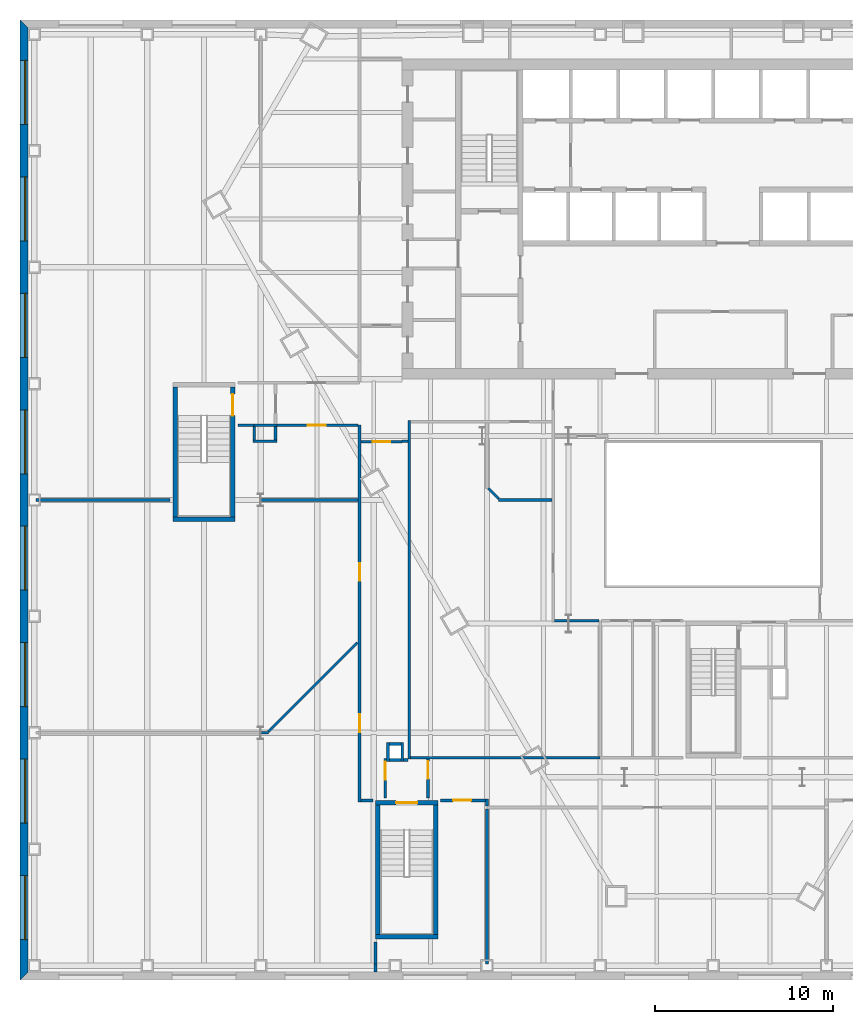
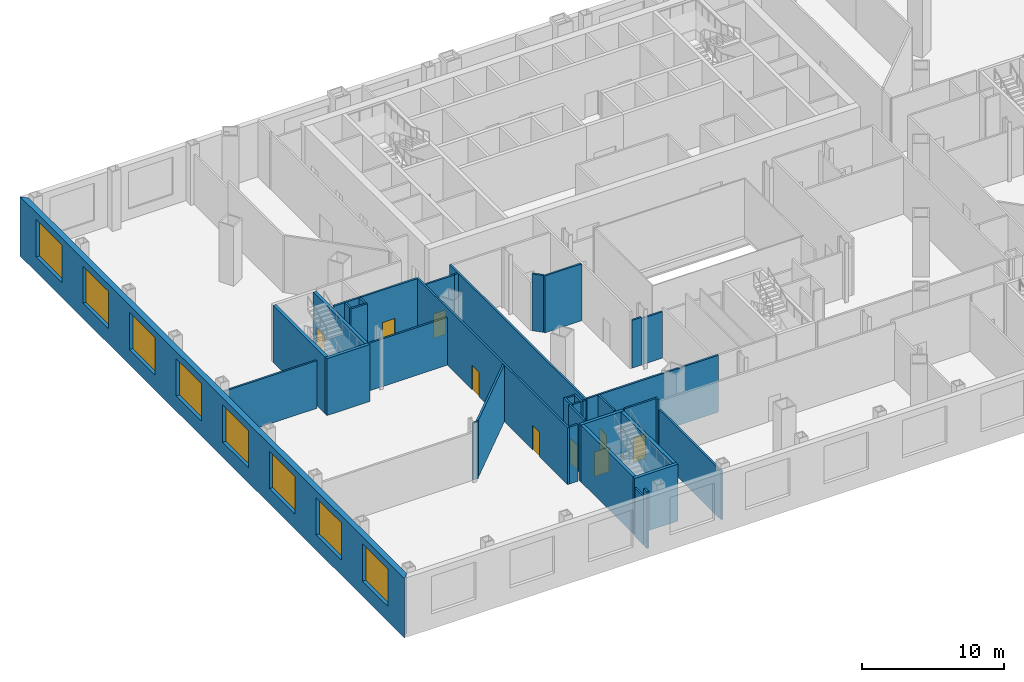
# One storey, part 8 of 20: 40 walls, 9 doors, 8 windows, 17 openings.
"""IFC4 building model written with IfcOpenShell, lengths in metres."""

from ifc_helpers import new_model, si_unit, direction, frame, frame_2d, origin, place, context, subcontext, project, spatial, polyline, rectangle, outline, extrude, material, layer, layer_set, type_object, element, fill, save


model = new_model("IFC4")

# Units and contexts
model_context = context("Model", 3, precision=1e-05, world=origin(), true_north=direction((0.0, 1.0)))
body_context = subcontext(model_context, "Body", "Model", "MODEL_VIEW")
ifc_project = project(units=[si_unit("LENGTHUNIT", "METRE"), si_unit("AREAUNIT", "SQUARE_METRE"), si_unit("VOLUMEUNIT", "CUBIC_METRE"), si_unit("PLANEANGLEUNIT", "RADIAN"), si_unit("MASSUNIT", "GRAM", prefix="KILO")], contexts=[model_context])

# Site, building, storey
site_placement = place(None, origin())
site = spatial("IfcSite", under=ifc_project, at=site_placement, CompositionType="ELEMENT")
building_placement = place(site_placement, origin())
building = spatial("IfcBuilding", under=site, at=building_placement, Name="Njiva Tower", CompositionType="ELEMENT")
storey_placement = place(building_placement, frame((0.0, 0.0, 18.6)))
storey = spatial("IfcBuildingStorey", under=building, at=storey_placement, Name="L03", CompositionType="ELEMENT", Elevation=18.6)

# Walls
ifc_material_1 = material(Name="Gypsum board on steel studs", Category="gypsum")
ifc_layer_1 = layer(ifc_material_1, 0.15)
ifc_layer_set_1 = layer_set([ifc_layer_1], Name="Gypsum board on steel studs")
wall_type_1 = type_object("IfcWallType", Name="WT21 Compartment wall 150", PredefinedType="PARTITIONING", material=ifc_layer_set_1)
wall_1_placement = place(storey_placement, frame((-25.467, -19.9, 0.0), z_axis=(0.0, 0.0, 1.0), x_axis=(1.0, 0.0, 0.0)))
element("IfcWall", 1, at=wall_1_placement, inside=storey, type_object=wall_type_1, Name="Partition L03-P001A", PredefinedType="PARTITIONING", context=body_context, shape_type="SweptSolid", body=[
    extrude(rectangle(XDim=0.441, YDim=0.15, at=frame_2d((0.2205, 0.0))), origin(), (0.0, 0.0, 1.0), 4.88),
])
wall_2_placement = place(storey_placement, frame((-38.1, -6.8, 0.0), z_axis=(0.0, 0.0, 1.0), x_axis=(1.0, 0.0, 0.0)))
element("IfcWall", 2, at=wall_2_placement, inside=storey, type_object=wall_type_1, Name="Partition L03-P002", PredefinedType="PARTITIONING", context=body_context, shape_type="SweptSolid", body=[
    extrude(rectangle(XDim=7.55, YDim=0.15, at=frame_2d((3.775, 0.0))), origin(), (0.0, 0.0, 1.0), 4.09),
])
wall_3_placement = place(storey_placement, frame((-26.75, -6.8, 0.0), z_axis=(0.0, 0.0, 1.0), x_axis=(1.0, 0.0, 0.0)))
element("IfcWall", 3, at=wall_3_placement, inside=storey, type_object=wall_type_1, Name="Partition L03-P003", PredefinedType="PARTITIONING", context=body_context, shape_type="SweptSolid", body=[
    extrude(rectangle(XDim=6.775, YDim=0.15, at=frame_2d((3.3875, 0.0))), origin(), (0.0, 0.0, 1.0), 4.09),
])
wall_4_placement = place(storey_placement, frame((-26.75, -2.6, 0.0), z_axis=(0.0, 0.0, 1.0), x_axis=(1.0, 0.0, 0.0)))
element("IfcWall", 4, at=wall_4_placement, inside=storey, type_object=wall_type_1, Name="Partition L03-P004", PredefinedType="PARTITIONING", context=body_context, shape_type="SweptSolid", body=[
    extrude(rectangle(XDim=0.913, YDim=0.15, at=frame_2d((0.4565, 0.0))), origin(), (0.0, 0.0, 1.0), 4.88),
])
wall_5_placement = place(storey_placement, frame((-25.026, -19.825, 0.0), z_axis=(0.0, 0.0, 1.0), x_axis=(0.707106781187, 0.707106781187, 0.0)))
element("IfcWall", 5, at=wall_5_placement, inside=storey, type_object=wall_type_1, Name="Partition L03-P011", PredefinedType="PARTITIONING", context=body_context, shape_type="SweptSolid", body=[
    extrude(rectangle(XDim=7.0682, YDim=0.15, at=frame_2d((3.5341, 0.0))), origin(), (0.0, 0.0, 1.0), 4.88),
])

# Wall, opening, door
wall_6_placement = place(storey_placement, frame((-24.55, -2.6, 0.0), z_axis=(0.0, 0.0, 1.0), x_axis=(1.0, 0.0, 0.0)))
wall_6 = element("IfcWall", 6, at=wall_6_placement, inside=storey, type_object=wall_type_1, Name="Partition L03-P014", PredefinedType="PARTITIONING", context=body_context, shape_type="SweptSolid", body=[
    extrude(rectangle(XDim=4.575, YDim=0.15, at=frame_2d((2.2875, 0.0))), origin(), (0.0, 0.0, 1.0), 4.88),
])
opening_1_placement = place(wall_6_placement, frame((1.736, 0.0, 0.0)))
opening_1 = element("IfcOpeningElement", 7, at=opening_1_placement, cuts=wall_6, Name="Opening L03-D003", PredefinedType="OPENING", context=body_context, shape_type="SweptSolid", body=[
    extrude(rectangle(XDim=1.0, YDim=2.1, at=frame_2d((0.5, 1.05))), frame((0.0, 0.085, 0.0), z_axis=(0.0, -1.0, 0.0), x_axis=(1.0, 0.0, 0.0)), (0.0, 0.0, 1.0), 0.17),
])
ifc_material_2 = material(Name="Steel fire door set", Category="steel")
door_type_1 = type_object("IfcDoorType", Name="D37 Fire door 1000x2100", OperationType="SINGLE_SWING_LEFT", PredefinedType="DOOR", material=ifc_material_2)
door_1_placement = place(opening_1_placement, origin())
door_1 = element("IfcDoor", 8, at=door_1_placement, inside=storey, type_object=door_type_1, Name="Door L03-D003", OperationType="SINGLE_SWING_LEFT", OverallHeight=2.1, OverallWidth=1.0, PredefinedType="DOOR", context=body_context, shape_type="SweptSolid", body=[
    extrude(rectangle(XDim=1.0, YDim=2.1, at=frame_2d((0.5, 1.05))), frame((0.0, 0.025, 0.0), z_axis=(0.0, -1.0, 0.0), x_axis=(1.0, 0.0, 0.0)), (0.0, 0.0, 1.0), 0.05),
])
fill(opening_1, door_1)

# Wall, openings, doors
wall_7_placement = place(storey_placement, frame((-19.9, -23.775, 0.0), z_axis=(0.0, 0.0, 1.0), x_axis=(0.0, 1.0, 0.0)))
wall_7 = element("IfcWall", 9, at=wall_7_placement, inside=storey, type_object=wall_type_1, Name="Partition L03-P016", PredefinedType="PARTITIONING", context=body_context, shape_type="SweptSolid", body=[
    extrude(rectangle(XDim=21.187, YDim=0.15, at=frame_2d((10.5935, 0.0))), origin(), (0.0, 0.0, 1.0), 4.88),
])
opening_2_placement = place(wall_7_placement, frame((3.922, 0.0, 0.0)))
opening_2 = element("IfcOpeningElement", 10, at=opening_2_placement, cuts=wall_7, Name="Opening L03-D004", PredefinedType="OPENING", context=body_context, shape_type="SweptSolid", body=[
    extrude(rectangle(XDim=1.0, YDim=2.1, at=frame_2d((0.5, 1.05))), frame((0.0, 0.085, 0.0), z_axis=(0.0, -1.0, 0.0), x_axis=(1.0, 0.0, 0.0)), (0.0, 0.0, 1.0), 0.17),
])
opening_3_placement = place(wall_7_placement, frame((12.423, 0.0, 0.0)))
opening_3 = element("IfcOpeningElement", 11, at=opening_3_placement, cuts=wall_7, Name="Opening L03-D005", PredefinedType="OPENING", context=body_context, shape_type="SweptSolid", body=[
    extrude(rectangle(XDim=1.0, YDim=2.1, at=frame_2d((0.5, 1.05))), frame((0.0, 0.085, 0.0), z_axis=(0.0, -1.0, 0.0), x_axis=(1.0, 0.0, 0.0)), (0.0, 0.0, 1.0), 0.17),
])
door_2_placement = place(opening_2_placement, origin())
door_2 = element("IfcDoor", 12, at=door_2_placement, inside=storey, type_object=door_type_1, Name="Door L03-D004", OperationType="SINGLE_SWING_RIGHT", OverallHeight=2.1, OverallWidth=1.0, PredefinedType="DOOR", context=body_context, shape_type="SweptSolid", body=[
    extrude(rectangle(XDim=1.0, YDim=2.1, at=frame_2d((0.5, 1.05))), frame((0.0, 0.025, 0.0), z_axis=(0.0, -1.0, 0.0), x_axis=(1.0, 0.0, 0.0)), (0.0, 0.0, 1.0), 0.05),
])
fill(opening_2, door_2)
door_3_placement = place(opening_3_placement, origin())
door_3 = element("IfcDoor", 13, at=door_3_placement, inside=storey, type_object=door_type_1, Name="Door L03-D005", OperationType="SINGLE_SWING_LEFT", OverallHeight=2.1, OverallWidth=1.0, PredefinedType="DOOR", context=body_context, shape_type="SweptSolid", body=[
    extrude(rectangle(XDim=1.0, YDim=2.1, at=frame_2d((0.5, 1.05))), frame((0.0, 0.025, 0.0), z_axis=(0.0, -1.0, 0.0), x_axis=(1.0, 0.0, 0.0)), (0.0, 0.0, 1.0), 0.05),
])
fill(opening_3, door_3)

# Wall
wall_8_placement = place(storey_placement, frame((-19.825, -23.7, 0.0), z_axis=(0.0, 0.0, 1.0), x_axis=(1.0, 0.0, 0.0)))
element("IfcWall", 14, at=wall_8_placement, inside=storey, type_object=wall_type_1, Name="Partition L03-P020", PredefinedType="PARTITIONING", context=body_context, shape_type="SweptSolid", body=[
    extrude(rectangle(XDim=0.675, YDim=0.15, at=frame_2d((0.3375, 0.0))), origin(), (0.0, 0.0, 1.0), 4.88),
])

# Wall, opening, door
wall_9_placement = place(storey_placement, frame((-19.825, -3.525, 0.0), z_axis=(0.0, 0.0, 1.0), x_axis=(1.0, 0.0, 0.0)))
wall_9 = element("IfcWall", 15, at=wall_9_placement, inside=storey, type_object=wall_type_1, Name="Partition L03-P021", PredefinedType="PARTITIONING", context=body_context, shape_type="SweptSolid", body=[
    extrude(rectangle(XDim=2.325, YDim=0.15, at=frame_2d((1.1625, 0.0))), origin(), (0.0, 0.0, 1.0), 4.88),
])
opening_4_placement = place(wall_9_placement, frame((0.662, 0.0, 0.0)))
opening_4 = element("IfcOpeningElement", 16, at=opening_4_placement, cuts=wall_9, Name="Opening L03-D007", PredefinedType="OPENING", context=body_context, shape_type="SweptSolid", body=[
    extrude(rectangle(XDim=1.0, YDim=2.1, at=frame_2d((0.5, 1.05))), frame((0.0, 0.085, 0.0), z_axis=(0.0, -1.0, 0.0), x_axis=(1.0, 0.0, 0.0)), (0.0, 0.0, 1.0), 0.17),
])
door_4_placement = place(opening_4_placement, origin())
door_4 = element("IfcDoor", 17, at=door_4_placement, inside=storey, type_object=door_type_1, Name="Door L03-D007", OperationType="SINGLE_SWING_RIGHT", OverallHeight=2.1, OverallWidth=1.0, PredefinedType="DOOR", context=body_context, shape_type="SweptSolid", body=[
    extrude(rectangle(XDim=1.0, YDim=2.1, at=frame_2d((0.5, 1.05))), frame((0.0, 0.025, 0.0), z_axis=(0.0, -1.0, 0.0), x_axis=(1.0, 0.0, 0.0)), (0.0, 0.0, 1.0), 0.05),
])
fill(opening_4, door_4)

# Walls
wall_10_placement = place(storey_placement, frame((-19.0, -33.348, 0.0), z_axis=(0.0, 0.0, 1.0), x_axis=(0.0, 1.0, 0.0)))
element("IfcWall", 18, at=wall_10_placement, inside=storey, type_object=wall_type_1, Name="Partition L03-P023", PredefinedType="PARTITIONING", context=body_context, shape_type="SweptSolid", body=[
    extrude(rectangle(XDim=0.448, YDim=0.15, at=frame_2d((0.224, 0.0))), origin(), (0.0, 0.0, 1.0), 4.88),
])
wall_11_placement = place(storey_placement, frame((-19.0, -32.9, 0.0), z_axis=(0.0, 0.0, 1.0), x_axis=(0.0, 1.0, 0.0)))
element("IfcWall", 19, at=wall_11_placement, inside=storey, type_object=wall_type_1, Name="Partition L03-P023A", PredefinedType="PARTITIONING", context=body_context, shape_type="SweptSolid", body=[
    extrude(rectangle(XDim=1.25, YDim=0.15, at=frame_2d((0.625, 0.0))), origin(), (0.0, 0.0, 1.0), 4.19),
])

# Wall, opening, door
wall_12_placement = place(storey_placement, frame((-18.45, -23.55, 0.0), z_axis=(0.0, 0.0, 1.0), x_axis=(0.0, 1.0, 0.0)))
wall_12 = element("IfcWall", 20, at=wall_12_placement, inside=storey, type_object=wall_type_1, Name="Partition L03-P024", PredefinedType="PARTITIONING", context=body_context, shape_type="SweptSolid", body=[
    extrude(rectangle(XDim=2.2, YDim=0.15, at=frame_2d((1.1, 0.0))), origin(), (0.0, 0.0, 1.0), 4.88),
])
opening_5_placement = place(wall_12_placement, frame((1.013, 0.0, 0.0)))
opening_5 = element("IfcOpeningElement", 21, at=opening_5_placement, cuts=wall_12, Name="Opening L03-D009", PredefinedType="OPENING", context=body_context, shape_type="SweptSolid", body=[
    extrude(rectangle(XDim=1.0, YDim=2.1, at=frame_2d((0.5, 1.05))), frame((0.0, 0.085, 0.0), z_axis=(0.0, -1.0, 0.0), x_axis=(1.0, 0.0, 0.0)), (0.0, 0.0, 1.0), 0.17),
])
ifc_material_3 = material(Name="Glazed steel fire door", Category="steel")
door_type_2 = type_object("IfcDoorType", Name="D41 Glazed fire door 1000x2100", OperationType="SINGLE_SWING_LEFT", PredefinedType="DOOR", material=ifc_material_3)
door_5_placement = place(opening_5_placement, origin())
door_5 = element("IfcDoor", 22, at=door_5_placement, inside=storey, type_object=door_type_2, Name="Door L03-D009", OperationType="SINGLE_SWING_RIGHT", OverallHeight=2.1, OverallWidth=1.0, PredefinedType="DOOR", context=body_context, shape_type="SweptSolid", body=[
    extrude(rectangle(XDim=1.0, YDim=2.1, at=frame_2d((0.5, 1.05))), frame((0.0, 0.025, 0.0), z_axis=(0.0, -1.0, 0.0), x_axis=(1.0, 0.0, 0.0)), (0.0, 0.0, 1.0), 0.05),
])
fill(opening_5, door_5)

# Walls
wall_13_placement = place(storey_placement, frame((-17.5, -3.5, 0.0), z_axis=(0.0, 0.0, 1.0), x_axis=(1.0, 0.0, 0.0)))
element("IfcWall", 23, at=wall_13_placement, inside=storey, type_object=wall_type_1, Name="Partition L03-P029", PredefinedType="PARTITIONING", context=body_context, shape_type="SweptSolid", body=[
    extrude(rectangle(XDim=0.325, YDim=0.15, at=frame_2d((0.1625, 0.0))), origin(), (0.0, 0.0, 1.0), 4.88),
])
wall_14_placement = place(storey_placement, frame((-17.425, -21.425, 0.0), z_axis=(0.0, 0.0, 1.0), x_axis=(1.0, 0.0, 0.0)))
element("IfcWall", 24, at=wall_14_placement, inside=storey, type_object=wall_type_1, Name="Partition L03-P030", PredefinedType="PARTITIONING", context=body_context, shape_type="SweptSolid", body=[
    extrude(rectangle(XDim=0.25, YDim=0.15, at=frame_2d((0.125, 0.0))), origin(), (0.0, 0.0, 1.0), 4.88),
])
wall_15_placement = place(storey_placement, frame((-17.1, -21.375, 0.0), z_axis=(0.0, 0.0, 1.0), x_axis=(0.0, 1.0, 0.0)))
element("IfcWall", 25, at=wall_15_placement, inside=storey, type_object=wall_type_1, Name="Partition L03-P031", PredefinedType="PARTITIONING", context=body_context, shape_type="SweptSolid", body=[
    extrude(rectangle(XDim=19.05, YDim=0.15, at=frame_2d((9.525, 0.0))), origin(), (0.0, 0.0, 1.0), 4.88),
])
wall_16_placement = place(storey_placement, frame((-17.025, -21.3, 0.0), z_axis=(0.0, 0.0, 1.0), x_axis=(1.0, 0.0, 0.0)))
element("IfcWall", 26, at=wall_16_placement, inside=storey, type_object=wall_type_1, Name="Partition L03-P032", PredefinedType="PARTITIONING", context=body_context, shape_type="SweptSolid", body=[
    extrude(rectangle(XDim=10.655, YDim=0.15, at=frame_2d((5.3275, 0.0))), origin(), (0.0, 0.0, 1.0), 4.88),
])

# Wall, opening, door
wall_17_placement = place(storey_placement, frame((-16.05, -23.55, 0.0), z_axis=(0.0, 0.0, 1.0), x_axis=(0.0, 1.0, 0.0)))
wall_17 = element("IfcWall", 27, at=wall_17_placement, inside=storey, type_object=wall_type_1, Name="Partition L03-P034", PredefinedType="PARTITIONING", context=body_context, shape_type="SweptSolid", body=[
    extrude(rectangle(XDim=2.175, YDim=0.15, at=frame_2d((1.0875, 0.0))), origin(), (0.0, 0.0, 1.0), 4.88),
])
opening_6_placement = place(wall_17_placement, frame((1.063, 0.0, 0.0)))
opening_6 = element("IfcOpeningElement", 28, at=opening_6_placement, cuts=wall_17, Name="Opening L03-D011", PredefinedType="OPENING", context=body_context, shape_type="SweptSolid", body=[
    extrude(rectangle(XDim=1.0, YDim=2.1, at=frame_2d((0.5, 1.05))), frame((0.0, 0.085, 0.0), z_axis=(0.0, -1.0, 0.0), x_axis=(1.0, 0.0, 0.0)), (0.0, 0.0, 1.0), 0.17),
])
door_6_placement = place(opening_6_placement, origin())
door_6 = element("IfcDoor", 29, at=door_6_placement, inside=storey, type_object=door_type_2, Name="Door L03-D011", OperationType="SINGLE_SWING_LEFT", OverallHeight=2.1, OverallWidth=1.0, PredefinedType="DOOR", context=body_context, shape_type="SweptSolid", body=[
    extrude(rectangle(XDim=1.0, YDim=2.1, at=frame_2d((0.5, 1.05))), frame((0.0, 0.025, 0.0), z_axis=(0.0, -1.0, 0.0), x_axis=(1.0, 0.0, 0.0)), (0.0, 0.0, 1.0), 0.05),
])
fill(opening_6, door_6)

wall_18_placement = place(storey_placement, frame((-15.35, -23.7, 0.0), z_axis=(0.0, 0.0, 1.0), x_axis=(1.0, 0.0, 0.0)))
wall_18 = element("IfcWall", 30, at=wall_18_placement, inside=storey, type_object=wall_type_1, Name="Partition L03-P035", PredefinedType="PARTITIONING", context=body_context, shape_type="SweptSolid", body=[
    extrude(rectangle(XDim=2.542, YDim=0.15, at=frame_2d((1.271, 0.0))), origin(), (0.0, 0.0, 1.0), 4.88),
])
opening_7_placement = place(wall_18_placement, frame((0.719, 0.0, 0.0)))
opening_7 = element("IfcOpeningElement", 31, at=opening_7_placement, cuts=wall_18, Name="Opening L03-D012", PredefinedType="OPENING", context=body_context, shape_type="SweptSolid", body=[
    extrude(rectangle(XDim=1.0, YDim=2.1, at=frame_2d((0.5, 1.05))), frame((0.0, 0.085, 0.0), z_axis=(0.0, -1.0, 0.0), x_axis=(1.0, 0.0, 0.0)), (0.0, 0.0, 1.0), 0.17),
])
door_7_placement = place(opening_7_placement, origin())
door_7 = element("IfcDoor", 32, at=door_7_placement, inside=storey, type_object=door_type_1, Name="Door L03-D012", OperationType="SINGLE_SWING_LEFT", OverallHeight=2.1, OverallWidth=1.0, PredefinedType="DOOR", context=body_context, shape_type="SweptSolid", body=[
    extrude(rectangle(XDim=1.0, YDim=2.1, at=frame_2d((0.5, 1.05))), frame((0.0, 0.025, 0.0), z_axis=(0.0, -1.0, 0.0), x_axis=(1.0, 0.0, 0.0)), (0.0, 0.0, 1.0), 0.05),
])
fill(opening_7, door_7)

# Walls
wall_19_placement = place(storey_placement, frame((-12.733, -32.9, 0.0), z_axis=(0.0, 0.0, 1.0), x_axis=(0.0, 1.0, 0.0)))
element("IfcWall", 33, at=wall_19_placement, inside=storey, type_object=wall_type_1, Name="Partition L03-P036", PredefinedType="PARTITIONING", context=body_context, shape_type="SweptSolid", body=[
    extrude(rectangle(XDim=8.725, YDim=0.15, at=frame_2d((4.3625, 0.0))), origin(), (0.0, 0.0, 1.0), 4.19),
])
wall_20_placement = place(storey_placement, frame((-12.733, -24.025, 0.0), z_axis=(0.0, 0.0, 1.0), x_axis=(0.0, 1.0, 0.0)))
element("IfcWall", 34, at=wall_20_placement, inside=storey, type_object=wall_type_1, Name="Partition L03-P038", PredefinedType="PARTITIONING", context=body_context, shape_type="SweptSolid", body=[
    extrude(rectangle(XDim=0.4, YDim=0.15, at=frame_2d((0.2, 0.0))), origin(), (0.0, 0.0, 1.0), 4.88),
])
wall_21_placement = place(storey_placement, frame((-12.658, -6.142, 0.0), z_axis=(0.0, 0.0, 1.0), x_axis=(0.707106781187, -0.707106781187, 0.0)))
element("IfcWall", 35, at=wall_21_placement, inside=storey, type_object=wall_type_1, Name="Partition L03-P040", PredefinedType="PARTITIONING", context=body_context, shape_type="SweptSolid", body=[
    extrude(rectangle(XDim=0.8245, YDim=0.15, at=frame_2d((0.4122, 0.0))), origin(), (0.0, 0.0, 1.0), 4.88),
])
wall_22_placement = place(storey_placement, frame((-12.075, -6.8, 0.0), z_axis=(0.0, 0.0, 1.0), x_axis=(1.0, 0.0, 0.0)))
element("IfcWall", 36, at=wall_22_placement, inside=storey, type_object=wall_type_1, Name="Partition L03-P041", PredefinedType="PARTITIONING", context=body_context, shape_type="SweptSolid", body=[
    extrude(rectangle(XDim=3.0, YDim=0.15, at=frame_2d((1.5, 0.0))), origin(), (0.0, 0.0, 1.0), 4.88),
])
wall_23_placement = place(storey_placement, frame((-8.925, -13.6, 0.0), z_axis=(0.0, 0.0, 1.0), x_axis=(1.0, 0.0, 0.0)))
element("IfcWall", 37, at=wall_23_placement, inside=storey, type_object=wall_type_1, Name="Partition L03-P044", PredefinedType="PARTITIONING", context=body_context, shape_type="SweptSolid", body=[
    extrude(rectangle(XDim=0.775, YDim=0.15, at=frame_2d((0.3875, 0.0))), origin(), (0.0, 0.0, 1.0), 4.09),
])
wall_24_placement = place(storey_placement, frame((-8.15, -13.6, 0.0), z_axis=(0.0, 0.0, 1.0), x_axis=(1.0, 0.0, 0.0)))
element("IfcWall", 38, at=wall_24_placement, inside=storey, type_object=wall_type_1, Name="Partition L03-P044A", PredefinedType="PARTITIONING", context=body_context, shape_type="SweptSolid", body=[
    extrude(rectangle(XDim=1.708, YDim=0.15, at=frame_2d((0.854, 0.0))), origin(), (0.0, 0.0, 1.0), 3.97),
])
ifc_layer_2 = layer(ifc_material_1, 0.15)
ifc_layer_set_2 = layer_set([ifc_layer_2], Name="Gypsum board on steel studs")
wall_type_2 = type_object("IfcWallType", Name="WT24 Riser room wall 150", PredefinedType="PARTITIONING", material=ifc_layer_set_2)
wall_25_placement = place(storey_placement, frame((-25.9, -3.5, 0.0), z_axis=(0.0, 0.0, 1.0), x_axis=(1.0, 0.0, 0.0)))
element("IfcWall", 39, at=wall_25_placement, inside=storey, type_object=wall_type_2, Name="Partition L03-P006", PredefinedType="PARTITIONING", context=body_context, shape_type="SweptSolid", body=[
    extrude(rectangle(XDim=1.35, YDim=0.15, at=frame_2d((0.675, 0.0))), origin(), (0.0, 0.0, 1.0), 4.88),
])
wall_26_placement = place(storey_placement, frame((-25.837, -2.6, 0.0), z_axis=(0.0, 0.0, 1.0), x_axis=(1.0, 0.0, 0.0)))
element("IfcWall", 40, at=wall_26_placement, inside=storey, type_object=wall_type_2, Name="Partition L03-P007", PredefinedType="PARTITIONING", context=body_context, shape_type="SweptSolid", body=[
    extrude(rectangle(XDim=1.287, YDim=0.15, at=frame_2d((0.6435, 0.0))), origin(), (0.0, 0.0, 1.0), 4.88),
])
for number, where, z_axis, x_axis, name in (
    (41, (-25.825, -3.425, 0.0), (0.0, 0.0, 1.0), (0.0, 1.0, 0.0), "Partition L03-P008"),
    (42, (-24.625, -3.425, 0.0), (0.0, 0.0, 1.0), (0.0, 1.0, 0.0), "Partition L03-P012"),
):
    element("IfcWall", number, at=place(storey_placement, frame(where, z_axis=z_axis, x_axis=x_axis)), inside=storey, type_object=wall_type_2, Name=name, PredefinedType="PARTITIONING", context=body_context, shape_type="SweptSolid", body=[
        extrude(rectangle(XDim=0.75, YDim=0.15, at=frame_2d((0.375, 0.0))), origin(), (0.0, 0.0, 1.0), 4.88),
    ])
wall_27_placement = place(storey_placement, frame((-18.3, -21.5, 0.0), z_axis=(0.0, 0.0, 1.0), x_axis=(0.0, 1.0, 0.0)))
element("IfcWall", 43, at=wall_27_placement, inside=storey, type_object=wall_type_2, Name="Partition L03-P025", PredefinedType="PARTITIONING", context=body_context, shape_type="SweptSolid", body=[
    extrude(rectangle(XDim=1.05, YDim=0.15, at=frame_2d((0.525, 0.0))), origin(), (0.0, 0.0, 1.0), 4.88),
])
for number, where, z_axis, x_axis, name in (
    (44, (-18.225, -21.425, 0.0), (0.0, 0.0, 1.0), (1.0, 0.0, 0.0), "Partition L03-P026"),
    (45, (-18.225, -20.525, 0.0), (0.0, 0.0, 1.0), (1.0, 0.0, 0.0), "Partition L03-P027"),
):
    element("IfcWall", number, at=place(storey_placement, frame(where, z_axis=z_axis, x_axis=x_axis)), inside=storey, type_object=wall_type_2, Name=name, PredefinedType="PARTITIONING", context=body_context, shape_type="SweptSolid", body=[
        extrude(rectangle(XDim=0.65, YDim=0.15, at=frame_2d((0.325, 0.0))), origin(), (0.0, 0.0, 1.0), 4.88),
    ])
wall_28_placement = place(storey_placement, frame((-17.5, -21.5, 0.0), z_axis=(0.0, 0.0, 1.0), x_axis=(0.0, 1.0, 0.0)))
element("IfcWall", 46, at=wall_28_placement, inside=storey, type_object=wall_type_2, Name="Partition L03-P028", PredefinedType="PARTITIONING", context=body_context, shape_type="SweptSolid", body=[
    extrude(rectangle(XDim=1.05, YDim=0.15, at=frame_2d((0.525, 0.0))), origin(), (0.0, 0.0, 1.0), 4.88),
])
ifc_material_4 = material(Name="Concrete C40/50", Category="concrete")
ifc_layer_3 = layer(ifc_material_4, 0.25)
ifc_layer_set_3 = layer_set([ifc_layer_3], Name="Concrete C40/50")
wall_type_3 = type_object("IfcWallType", Name="WT9 Stair enclosure wall 250", PredefinedType="SHEAR", material=ifc_layer_set_3)
for number, where, z_axis, x_axis, name in (
    (47, (-18.875, -31.25, 0.0), (0.0, 0.0, 1.0), (0.0, 1.0, 0.0), "Stair D wall west"),
    (48, (-15.625, -31.25, 0.0), (0.0, 0.0, 1.0), (0.0, 1.0, 0.0), "Stair D wall east"),
):
    element("IfcWall", number, at=place(storey_placement, frame(where, z_axis=z_axis, x_axis=x_axis)), inside=storey, type_object=wall_type_3, Name=name, PredefinedType="SHEAR", context=body_context, shape_type="SweptSolid", body=[
        extrude(rectangle(XDim=7.3, YDim=0.25, at=frame_2d((3.65, 0.0))), origin(), (0.0, 0.0, 1.0), 4.88),
    ])
wall_29_placement = place(storey_placement, frame((-19.0, -31.375, 0.0), z_axis=(0.0, 0.0, 1.0), x_axis=(1.0, 0.0, 0.0)))
element("IfcWall", 49, at=wall_29_placement, inside=storey, type_object=wall_type_3, Name="Stair D wall south", PredefinedType="SHEAR", context=body_context, shape_type="SweptSolid", body=[
    extrude(rectangle(XDim=3.5, YDim=0.25, at=frame_2d((1.75, 0.0))), origin(), (0.0, 0.0, 1.0), 4.88),
])

# Wall, opening, door
wall_30_placement = place(storey_placement, frame((-19.0, -23.825, 0.0), z_axis=(0.0, 0.0, 1.0), x_axis=(1.0, 0.0, 0.0)))
wall_30 = element("IfcWall", 50, at=wall_30_placement, inside=storey, type_object=wall_type_3, Name="Stair D wall north", PredefinedType="SHEAR", context=body_context, shape_type="SweptSolid", body=[
    extrude(rectangle(XDim=3.5, YDim=0.25, at=frame_2d((1.75, 0.0))), origin(), (0.0, 0.0, 1.0), 4.88),
])
opening_8_placement = place(wall_30_placement, frame((1.15, 0.0, 0.0)))
opening_8 = element("IfcOpeningElement", 51, at=opening_8_placement, cuts=wall_30, Name="Opening L03-D941", PredefinedType="OPENING", context=body_context, shape_type="SweptSolid", body=[
    extrude(rectangle(XDim=1.2, YDim=2.1, at=frame_2d((0.6, 1.05))), frame((0.0, 0.135, 0.0), z_axis=(0.0, -1.0, 0.0), x_axis=(1.0, 0.0, 0.0)), (0.0, 0.0, 1.0), 0.27),
])
ifc_material_5 = material(Name="Steel door, painted", Category="steel")
door_type_3 = type_object("IfcDoorType", Name="D1 Stair door 1200x2100", OperationType="SINGLE_SWING_LEFT", PredefinedType="DOOR", material=ifc_material_5)
door_8_placement = place(opening_8_placement, origin())
door_8 = element("IfcDoor", 52, at=door_8_placement, inside=storey, type_object=door_type_3, Name="Stair D door", OperationType="SINGLE_SWING_LEFT", OverallHeight=2.1, OverallWidth=1.2, PredefinedType="DOOR", context=body_context, shape_type="SweptSolid", body=[
    extrude(rectangle(XDim=1.2, YDim=2.1, at=frame_2d((0.6, 1.05))), frame((0.0, 0.025, 0.0), z_axis=(0.0, -1.0, 0.0), x_axis=(1.0, 0.0, 0.0)), (0.0, 0.0, 1.0), 0.05),
])
fill(opening_8, door_8)

# Wall
wall_31_placement = place(storey_placement, frame((-30.275, -7.75, 0.0), z_axis=(0.0, 0.0, 1.0), x_axis=(0.0, 1.0, 0.0)))
element("IfcWall", 53, at=wall_31_placement, inside=storey, type_object=wall_type_3, Name="Stair F wall west", PredefinedType="SHEAR", context=body_context, shape_type="SweptSolid", body=[
    extrude(rectangle(XDim=7.3, YDim=0.25, at=frame_2d((3.65, 0.0))), origin(), (0.0, 0.0, 1.0), 4.88),
])

# Wall, opening, door
wall_32_placement = place(storey_placement, frame((-27.025, -7.75, 0.0), z_axis=(0.0, 0.0, 1.0), x_axis=(0.0, 1.0, 0.0)))
wall_32 = element("IfcWall", 54, at=wall_32_placement, inside=storey, type_object=wall_type_3, Name="Stair F wall east", PredefinedType="SHEAR", context=body_context, shape_type="SweptSolid", body=[
    extrude(rectangle(XDim=7.3, YDim=0.25, at=frame_2d((3.65, 0.0))), origin(), (0.0, 0.0, 1.0), 4.88),
])
opening_9_placement = place(wall_32_placement, frame((5.7, 0.0, 0.0)))
opening_9 = element("IfcOpeningElement", 55, at=opening_9_placement, cuts=wall_32, Name="Opening L03-D943", PredefinedType="OPENING", context=body_context, shape_type="SweptSolid", body=[
    extrude(rectangle(XDim=1.2, YDim=2.1, at=frame_2d((0.6, 1.05))), frame((0.0, 0.135, 0.0), z_axis=(0.0, -1.0, 0.0), x_axis=(1.0, 0.0, 0.0)), (0.0, 0.0, 1.0), 0.27),
])
door_9_placement = place(opening_9_placement, origin())
door_9 = element("IfcDoor", 56, at=door_9_placement, inside=storey, type_object=door_type_3, Name="Stair F door", OperationType="SINGLE_SWING_LEFT", OverallHeight=2.1, OverallWidth=1.2, PredefinedType="DOOR", context=body_context, shape_type="SweptSolid", body=[
    extrude(rectangle(XDim=1.2, YDim=2.1, at=frame_2d((0.6, 1.05))), frame((0.0, 0.025, 0.0), z_axis=(0.0, -1.0, 0.0), x_axis=(1.0, 0.0, 0.0)), (0.0, 0.0, 1.0), 0.05),
])
fill(opening_9, door_9)

# Wall
wall_33_placement = place(storey_placement, frame((-30.4, -7.875, 0.0), z_axis=(0.0, 0.0, 1.0), x_axis=(1.0, 0.0, 0.0)))
element("IfcWall", 57, at=wall_33_placement, inside=storey, type_object=wall_type_3, Name="Stair F wall south", PredefinedType="SHEAR", context=body_context, shape_type="SweptSolid", body=[
    extrude(rectangle(XDim=3.5, YDim=0.25, at=frame_2d((1.75, 0.0))), origin(), (0.0, 0.0, 1.0), 4.88),
])

# Wall, openings, windows
ifc_material_6 = material(Name="Brick masonry", Category="masonry")
ifc_layer_4 = layer(ifc_material_6, 0.45)
ifc_layer_set_4 = layer_set([ifc_layer_4], Name="Brick masonry")
wall_type_4 = type_object("IfcWallType", Name="WT90 Brick pier and spandrel wall 450", PredefinedType="SOLIDWALL", material=ifc_layer_set_4)
wall_34_placement = place(storey_placement, frame((-38.775, 19.975, -0.4), z_axis=(0.0, 0.0, 1.0), x_axis=(0.0, -1.0, 0.0)))
wall_34 = element("IfcWall", 58, at=wall_34_placement, inside=storey, type_object=wall_type_4, Name="Podium wall W", PredefinedType="SOLIDWALL", context=body_context, shape_type="SweptSolid", body=[
    extrude(outline(polyline([(-0.225, -0.225), (53.775, -0.225), (53.325, 0.225), (0.225, 0.225), (-0.225, -0.225)])), origin(), (0.0, 0.0, 1.0), 5.1),
])
opening_10_placement = place(wall_34_placement, frame((2.05, 0.0, 1.3)))
opening_10 = element("IfcOpeningElement", 59, at=opening_10_placement, cuts=wall_34, Name="Opening L03-W17", PredefinedType="OPENING", context=body_context, shape_type="SweptSolid", body=[
    extrude(rectangle(XDim=3.6, YDim=3.2, at=frame_2d((1.8, 1.6))), frame((0.0, 0.235, 0.0), z_axis=(0.0, -1.0, 0.0), x_axis=(1.0, 0.0, 0.0)), (0.0, 0.0, 1.0), 0.47),
])
opening_11_placement = place(wall_34_placement, frame((8.6, 0.0, 1.3)))
opening_11 = element("IfcOpeningElement", 60, at=opening_11_placement, cuts=wall_34, Name="Opening L03-W18", PredefinedType="OPENING", context=body_context, shape_type="SweptSolid", body=[
    extrude(rectangle(XDim=3.6, YDim=3.2, at=frame_2d((1.8, 1.6))), frame((0.0, 0.235, 0.0), z_axis=(0.0, -1.0, 0.0), x_axis=(1.0, 0.0, 0.0)), (0.0, 0.0, 1.0), 0.47),
])
opening_12_placement = place(wall_34_placement, frame((15.15, 0.0, 1.3)))
opening_12 = element("IfcOpeningElement", 61, at=opening_12_placement, cuts=wall_34, Name="Opening L03-W19", PredefinedType="OPENING", context=body_context, shape_type="SweptSolid", body=[
    extrude(rectangle(XDim=3.6, YDim=3.2, at=frame_2d((1.8, 1.6))), frame((0.0, 0.235, 0.0), z_axis=(0.0, -1.0, 0.0), x_axis=(1.0, 0.0, 0.0)), (0.0, 0.0, 1.0), 0.47),
])
opening_13_placement = place(wall_34_placement, frame((21.7, 0.0, 1.3)))
opening_13 = element("IfcOpeningElement", 62, at=opening_13_placement, cuts=wall_34, Name="Opening L03-W20", PredefinedType="OPENING", context=body_context, shape_type="SweptSolid", body=[
    extrude(rectangle(XDim=3.6, YDim=3.2, at=frame_2d((1.8, 1.6))), frame((0.0, 0.235, 0.0), z_axis=(0.0, -1.0, 0.0), x_axis=(1.0, 0.0, 0.0)), (0.0, 0.0, 1.0), 0.47),
])
opening_14_placement = place(wall_34_placement, frame((28.25, 0.0, 1.3)))
opening_14 = element("IfcOpeningElement", 63, at=opening_14_placement, cuts=wall_34, Name="Opening L03-W21", PredefinedType="OPENING", context=body_context, shape_type="SweptSolid", body=[
    extrude(rectangle(XDim=3.6, YDim=3.2, at=frame_2d((1.8, 1.6))), frame((0.0, 0.235, 0.0), z_axis=(0.0, -1.0, 0.0), x_axis=(1.0, 0.0, 0.0)), (0.0, 0.0, 1.0), 0.47),
])
opening_15_placement = place(wall_34_placement, frame((34.8, 0.0, 1.3)))
opening_15 = element("IfcOpeningElement", 64, at=opening_15_placement, cuts=wall_34, Name="Opening L03-W22", PredefinedType="OPENING", context=body_context, shape_type="SweptSolid", body=[
    extrude(rectangle(XDim=3.6, YDim=3.2, at=frame_2d((1.8, 1.6))), frame((0.0, 0.235, 0.0), z_axis=(0.0, -1.0, 0.0), x_axis=(1.0, 0.0, 0.0)), (0.0, 0.0, 1.0), 0.47),
])
opening_16_placement = place(wall_34_placement, frame((41.35, 0.0, 1.3)))
opening_16 = element("IfcOpeningElement", 65, at=opening_16_placement, cuts=wall_34, Name="Opening L03-W23", PredefinedType="OPENING", context=body_context, shape_type="SweptSolid", body=[
    extrude(rectangle(XDim=3.6, YDim=3.2, at=frame_2d((1.8, 1.6))), frame((0.0, 0.235, 0.0), z_axis=(0.0, -1.0, 0.0), x_axis=(1.0, 0.0, 0.0)), (0.0, 0.0, 1.0), 0.47),
])
opening_17_placement = place(wall_34_placement, frame((47.9, 0.0, 1.3)))
opening_17 = element("IfcOpeningElement", 66, at=opening_17_placement, cuts=wall_34, Name="Opening L03-W24", PredefinedType="OPENING", context=body_context, shape_type="SweptSolid", body=[
    extrude(rectangle(XDim=3.6, YDim=3.2, at=frame_2d((1.8, 1.6))), frame((0.0, 0.235, 0.0), z_axis=(0.0, -1.0, 0.0), x_axis=(1.0, 0.0, 0.0)), (0.0, 0.0, 1.0), 0.47),
])
ifc_material_7 = material(Name="Clear glazing in aluminium frame", Category="aluminium")
window_type = type_object("IfcWindowType", Name="W98 Deep-set window 3600x3200", PartitioningType="SINGLE_PANEL", PredefinedType="WINDOW", material=ifc_material_7)
window_1_placement = place(opening_10_placement, origin())
window_1 = element("IfcWindow", 67, at=window_1_placement, inside=storey, type_object=window_type, Name="Window", OverallHeight=3.2, OverallWidth=3.6, PartitioningType="SINGLE_PANEL", PredefinedType="WINDOW", context=body_context, shape_type="SweptSolid", body=[
    extrude(rectangle(XDim=3.6, YDim=3.2, at=frame_2d((1.8, 1.6))), frame((0.0, 0.105, 0.0), z_axis=(0.0, -1.0, 0.0), x_axis=(1.0, 0.0, 0.0)), (0.0, 0.0, 1.0), 0.06),
])
fill(opening_10, window_1)
window_2_placement = place(opening_11_placement, origin())
window_2 = element("IfcWindow", 68, at=window_2_placement, inside=storey, type_object=window_type, Name="Window", OverallHeight=3.2, OverallWidth=3.6, PartitioningType="SINGLE_PANEL", PredefinedType="WINDOW", context=body_context, shape_type="SweptSolid", body=[
    extrude(rectangle(XDim=3.6, YDim=3.2, at=frame_2d((1.8, 1.6))), frame((0.0, 0.105, 0.0), z_axis=(0.0, -1.0, 0.0), x_axis=(1.0, 0.0, 0.0)), (0.0, 0.0, 1.0), 0.06),
])
fill(opening_11, window_2)
window_3_placement = place(opening_12_placement, origin())
window_3 = element("IfcWindow", 69, at=window_3_placement, inside=storey, type_object=window_type, Name="Window", OverallHeight=3.2, OverallWidth=3.6, PartitioningType="SINGLE_PANEL", PredefinedType="WINDOW", context=body_context, shape_type="SweptSolid", body=[
    extrude(rectangle(XDim=3.6, YDim=3.2, at=frame_2d((1.8, 1.6))), frame((0.0, 0.105, 0.0), z_axis=(0.0, -1.0, 0.0), x_axis=(1.0, 0.0, 0.0)), (0.0, 0.0, 1.0), 0.06),
])
fill(opening_12, window_3)
window_4_placement = place(opening_13_placement, origin())
window_4 = element("IfcWindow", 70, at=window_4_placement, inside=storey, type_object=window_type, Name="Window", OverallHeight=3.2, OverallWidth=3.6, PartitioningType="SINGLE_PANEL", PredefinedType="WINDOW", context=body_context, shape_type="SweptSolid", body=[
    extrude(rectangle(XDim=3.6, YDim=3.2, at=frame_2d((1.8, 1.6))), frame((0.0, 0.105, 0.0), z_axis=(0.0, -1.0, 0.0), x_axis=(1.0, 0.0, 0.0)), (0.0, 0.0, 1.0), 0.06),
])
fill(opening_13, window_4)
window_5_placement = place(opening_14_placement, origin())
window_5 = element("IfcWindow", 71, at=window_5_placement, inside=storey, type_object=window_type, Name="Window", OverallHeight=3.2, OverallWidth=3.6, PartitioningType="SINGLE_PANEL", PredefinedType="WINDOW", context=body_context, shape_type="SweptSolid", body=[
    extrude(rectangle(XDim=3.6, YDim=3.2, at=frame_2d((1.8, 1.6))), frame((0.0, 0.105, 0.0), z_axis=(0.0, -1.0, 0.0), x_axis=(1.0, 0.0, 0.0)), (0.0, 0.0, 1.0), 0.06),
])
fill(opening_14, window_5)
window_6_placement = place(opening_15_placement, origin())
window_6 = element("IfcWindow", 72, at=window_6_placement, inside=storey, type_object=window_type, Name="Window", OverallHeight=3.2, OverallWidth=3.6, PartitioningType="SINGLE_PANEL", PredefinedType="WINDOW", context=body_context, shape_type="SweptSolid", body=[
    extrude(rectangle(XDim=3.6, YDim=3.2, at=frame_2d((1.8, 1.6))), frame((0.0, 0.105, 0.0), z_axis=(0.0, -1.0, 0.0), x_axis=(1.0, 0.0, 0.0)), (0.0, 0.0, 1.0), 0.06),
])
fill(opening_15, window_6)
window_7_placement = place(opening_16_placement, origin())
window_7 = element("IfcWindow", 73, at=window_7_placement, inside=storey, type_object=window_type, Name="Window", OverallHeight=3.2, OverallWidth=3.6, PartitioningType="SINGLE_PANEL", PredefinedType="WINDOW", context=body_context, shape_type="SweptSolid", body=[
    extrude(rectangle(XDim=3.6, YDim=3.2, at=frame_2d((1.8, 1.6))), frame((0.0, 0.105, 0.0), z_axis=(0.0, -1.0, 0.0), x_axis=(1.0, 0.0, 0.0)), (0.0, 0.0, 1.0), 0.06),
])
fill(opening_16, window_7)
window_8_placement = place(opening_17_placement, origin())
window_8 = element("IfcWindow", 74, at=window_8_placement, inside=storey, type_object=window_type, Name="Window", OverallHeight=3.2, OverallWidth=3.6, PartitioningType="SINGLE_PANEL", PredefinedType="WINDOW", context=body_context, shape_type="SweptSolid", body=[
    extrude(rectangle(XDim=3.6, YDim=3.2, at=frame_2d((1.8, 1.6))), frame((0.0, 0.105, 0.0), z_axis=(0.0, -1.0, 0.0), x_axis=(1.0, 0.0, 0.0)), (0.0, 0.0, 1.0), 0.06),
])
fill(opening_17, window_8)

save(model, "model.ifc")
